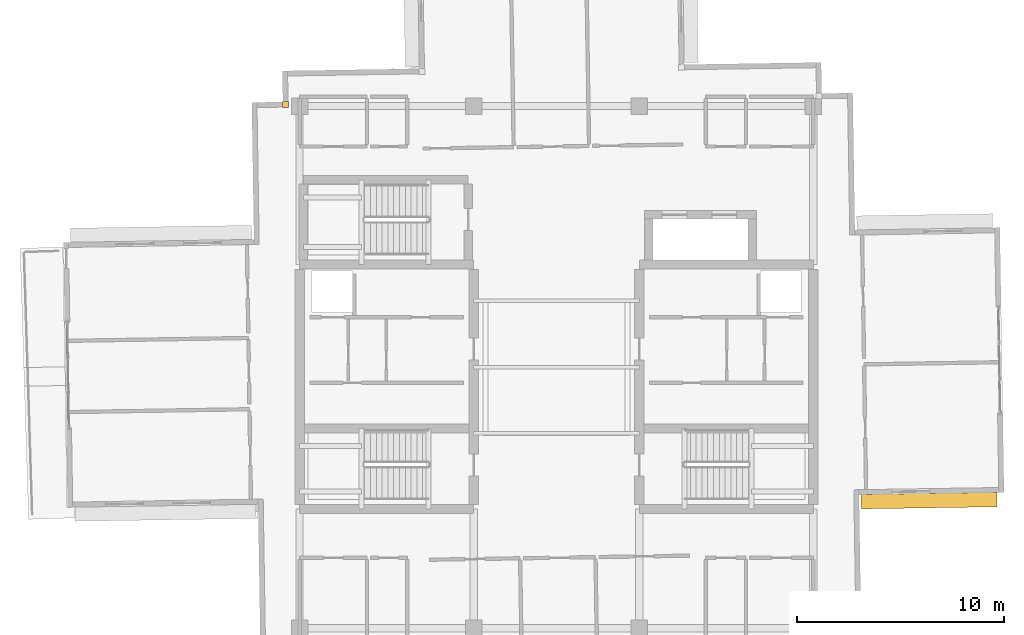
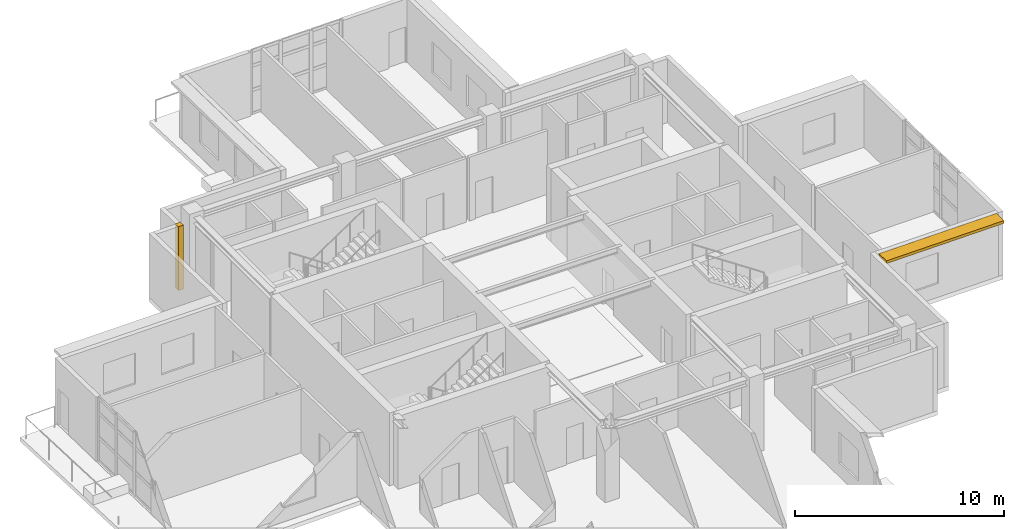
# One storey, part 16 of 18: 1 covering, 1 shading device.
"""IFC4 building model written with IfcOpenShell, lengths in metres."""

from ifc_helpers import new_model, si_unit, direction, frame, origin, origin_2d, place, context, subcontext, project, spatial, rectangle, extrude, material, layer, layer_set, type_object, element, save


model = new_model("IFC4")

# Units and contexts
model_context = context("Model", 3, precision=1e-05, world=origin(), true_north=direction((0.0, 1.0)))
body_context = subcontext(model_context, "Body", "Model", "MODEL_VIEW")
ifc_project = project(units=[si_unit("LENGTHUNIT", "METRE"), si_unit("AREAUNIT", "SQUARE_METRE"), si_unit("VOLUMEUNIT", "CUBIC_METRE"), si_unit("PLANEANGLEUNIT", "RADIAN"), si_unit("MASSUNIT", "GRAM", prefix="KILO")], contexts=[model_context])

# Site, building, storey
site_placement = place(None, origin())
site = spatial("IfcSite", under=ifc_project, at=site_placement, CompositionType="ELEMENT")
building_placement = place(site_placement, origin())
building = spatial("IfcBuilding", under=site, at=building_placement, Name="Qingluan Cross Belvedere", CompositionType="ELEMENT")
storey_placement = place(building_placement, frame((0.0, 0.0, 303.89990234375)))
storey = spatial("IfcBuildingStorey", under=building, at=storey_placement, Name="L75", CompositionType="ELEMENT", Elevation=303.89990234375)

# Covering
ifc_material_1 = material(Name="Precast concrete C45", Category="concrete")
ifc_layer_1 = layer(ifc_material_1, 0.1201171875, Name="ConcreteSpandrelCladding_120")
ifc_layer_set_1 = layer_set([ifc_layer_1], Name="Precast concrete C45")
covering_type = type_object("IfcCoveringType", Name="ConcreteSpandrelCladding_120", PredefinedType="CLADDING", material=ifc_layer_set_1)
covering_placement = place(storey_placement, frame((-13.080810546875, 12.676025390625, 0.0), z_axis=(0.0, 0.0, 1.0), x_axis=(0.999876632482, 0.015707317312, 0.0)))
element("IfcCovering", 1, at=covering_placement, inside=storey, type_object=covering_type, Name="Corner closure L75-NW1", PredefinedType="CLADDING", context=body_context, shape_type="SweptSolid", body=[
    extrude(rectangle(XDim=0.2900390625, YDim=0.2900390625, at=origin_2d()), origin(), (0.0, 0.0, 1.0), 3.72998046875),
])

# Shading device
ifc_material_2 = material(Name="Precast concrete C45", Category="concrete")
ifc_layer_2 = layer(ifc_material_2, 0.139892578125, Name="ConcreteSunshadeBand_700")
ifc_layer_set_2 = layer_set([ifc_layer_2], Name="Precast concrete C45")
shading_device_type = type_object("IfcShadingDeviceType", Name="ConcreteSunshadeBand_700", PredefinedType="USERDEFINED", material=ifc_layer_set_2)
shading_device_placement = place(storey_placement, frame((17.9833984375, -6.443359375, 3.55029296875), z_axis=(0.0, 0.0, 1.0), x_axis=(0.999876690424, 0.015703628455, 0.0)))
element("IfcShadingDevice", 2, at=shading_device_placement, inside=storey, type_object=shading_device_type, Name="Concrete SUNSHADE L75-EA", ObjectType="SUNSHADE", PredefinedType="USERDEFINED", context=body_context, shape_type="SweptSolid", body=[
    extrude(rectangle(XDim=6.550048828125, YDim=0.699951171875, at=origin_2d()), origin(), (0.0, 0.0, 1.0), 0.159912109375),
])

save(model, "model.ifc")
